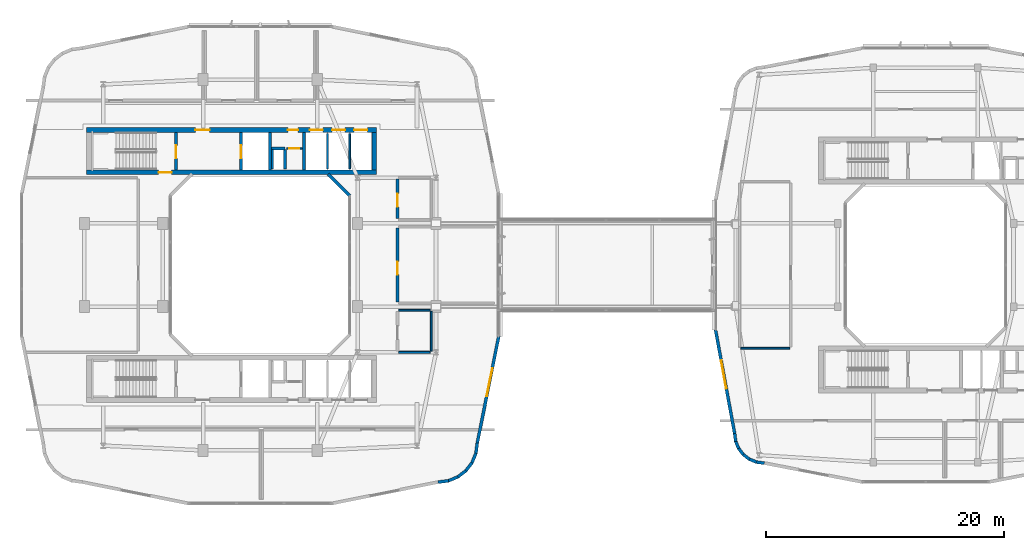
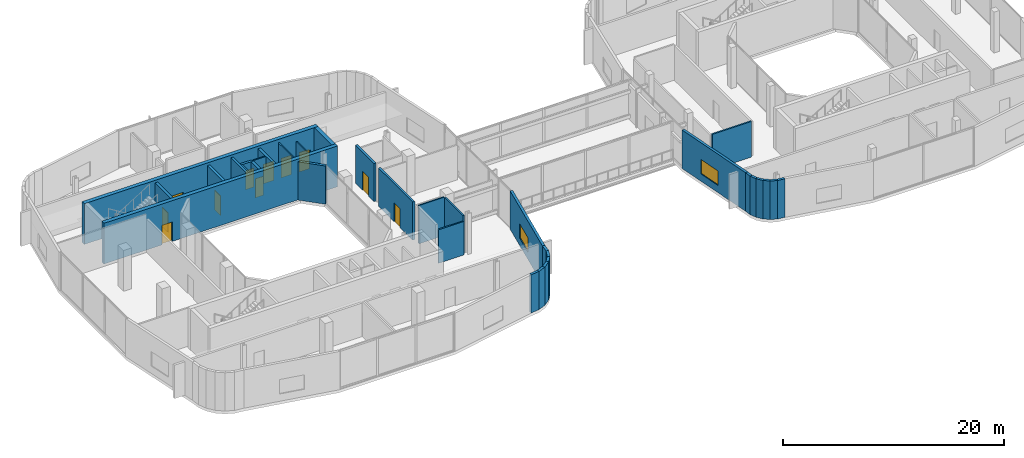
# One storey, part 15 of 24: 34 walls, 11 doors, 2 windows, 13 openings.
"""IFC4 building model written with IfcOpenShell, lengths in metres."""

from ifc_helpers import new_model, si_unit, derived_unit, direction, frame, frame_2d, origin, place, context, subcontext, project, spatial, rectangle, extrude, material, layer, layer_set, type_object, element, fill, save


model = new_model("IFC4")

# Units and contexts
model_context = context("Model", 3, precision=1e-05, world=origin(), true_north=direction((0.0, 1.0)))
body_context = subcontext(model_context, "Body", "Model", "MODEL_VIEW")
ifc_project = project(units=[si_unit("LENGTHUNIT", "METRE"), si_unit("AREAUNIT", "SQUARE_METRE"), si_unit("VOLUMEUNIT", "CUBIC_METRE"), si_unit("PLANEANGLEUNIT", "RADIAN"), si_unit("MASSUNIT", "GRAM", prefix="KILO"), derived_unit("THERMALTRANSMITTANCEUNIT", [(si_unit("POWERUNIT", "WATT"), 1), (si_unit("LENGTHUNIT", "METRE"), -2), (si_unit("THERMODYNAMICTEMPERATUREUNIT", "KELVIN"), -1)])], contexts=[model_context])

# Site, building, storey
site_placement = place(None, origin())
site = spatial("IfcSite", under=ifc_project, at=site_placement, CompositionType="ELEMENT")
building_placement = place(site_placement, origin())
building = spatial("IfcBuilding", under=site, at=building_placement, Name="Kivonza Crest Hotel", CompositionType="ELEMENT")
storey_placement = place(building_placement, frame((0.0, 0.0, 119.5)))
storey = spatial("IfcBuildingStorey", under=building, at=storey_placement, Name="L32", CompositionType="ELEMENT", Elevation=119.5)

# Wall, opening, door
ifc_material_1 = material(Name="Autoclaved aerated concrete blockwork", Category="masonry")
ifc_layer_1 = layer(ifc_material_1, 0.219970703125)
ifc_layer_set_1 = layer_set([ifc_layer_1], Name="Autoclaved aerated concrete blockwork")
wall_type_1 = type_object("IfcWallType", Name="WL-ACOU-220", PredefinedType="SOLIDWALL", material=ifc_layer_set_1)
wall_1_placement = place(storey_placement, frame((32.56005859375, 21.89990234375, 0.0), z_axis=(0.0, 0.0, 1.0), x_axis=(0.0, 1.0, 0.0)))
wall_1 = element("IfcWall", 1, at=wall_1_placement, inside=storey, type_object=wall_type_1, Name="L32 interior partition WA-L32-SKYLOB-W", PredefinedType="SOLIDWALL", context=body_context, shape_type="SweptSolid", body=[
    extrude(rectangle(XDim=6.2001953125, YDim=0.219970703125, at=frame_2d((3.10009765625, 0.0))), origin(), (0.0, 0.0, 1.0), 4.219970703125),
])
opening_1_placement = place(wall_1_placement, frame((2.284912109375, 0.0, 0.0)))
opening_1 = element("IfcOpeningElement", 2, at=opening_1_placement, cuts=wall_1, Name="Opening DF-60M", PredefinedType="OPENING", context=body_context, shape_type="SweptSolid", body=[
    extrude(rectangle(XDim=1.10009765625, YDim=2.10009765625, at=frame_2d((0.550048828125, 1.050048828125))), frame((0.0, 0.1201171875, 0.0), z_axis=(0.0, -1.0, 0.0), x_axis=(1.0, 0.0, 0.0)), (0.0, 0.0, 1.0), 0.239990234375),
])
ifc_material_2 = material(Name="Hardwood timber oak", Category="wood")
door_type_1 = type_object("IfcDoorType", Name="DR-FD60-1100", OperationType="NOTDEFINED", PredefinedType="DOOR", material=ifc_material_2)
door_1_placement = place(opening_1_placement, frame((1.10009765625, 0.0, 0.0), z_axis=(0.0, 0.0, 1.0), x_axis=(-1.0, 0.0, 0.0)))
door_1 = element("IfcDoor", 3, at=door_1_placement, inside=storey, type_object=door_type_1, Name="L32 Sky Lobby Reception Hall door", OperationType="SINGLE_SWING_LEFT", OverallHeight=2.10009765625, OverallWidth=1.10009765625, PredefinedType="DOOR", context=body_context, shape_type="SweptSolid", body=[
    extrude(rectangle(XDim=1.10009765625, YDim=2.10009765625, at=frame_2d((0.550048828125, 1.050048828125))), frame((0.0, 0.02490234375, 0.0), z_axis=(0.0, -1.0, 0.0), x_axis=(1.0, 0.0, 0.0)), (0.0, 0.0, 1.0), 0.050048828125),
])
fill(opening_1, door_1)

wall_2_placement = place(storey_placement, frame((32.56005859375, 28.89990234375, 0.0), z_axis=(0.0, 0.0, 1.0), x_axis=(0.0, 1.0, 0.0)))
wall_2 = element("IfcWall", 4, at=wall_2_placement, inside=storey, type_object=wall_type_1, Name="L32 interior partition WA-L32-SKYLOB-N-W", PredefinedType="SOLIDWALL", context=body_context, shape_type="SweptSolid", body=[
    extrude(rectangle(XDim=3.35009765625, YDim=0.219970703125, at=frame_2d((1.675048828125, 0.0))), origin(), (0.0, 0.0, 1.0), 4.219970703125),
])
opening_2_placement = place(wall_2_placement, frame((1.0029296875, 0.0, 0.0)))
opening_2 = element("IfcOpeningElement", 5, at=opening_2_placement, cuts=wall_2, Name="Opening DF-60M", PredefinedType="OPENING", context=body_context, shape_type="SweptSolid", body=[
    extrude(rectangle(XDim=1.10009765625, YDim=2.10009765625, at=frame_2d((0.550048828125, 1.050048828125))), frame((0.0, 0.1201171875, 0.0), z_axis=(0.0, -1.0, 0.0), x_axis=(1.0, 0.0, 0.0)), (0.0, 0.0, 1.0), 0.239990234375),
])
door_2_placement = place(opening_2_placement, frame((1.10009765625, 0.0, 0.0), z_axis=(0.0, 0.0, 1.0), x_axis=(-1.0, 0.0, 0.0)))
door_2 = element("IfcDoor", 6, at=door_2_placement, inside=storey, type_object=door_type_1, Name="L32 Sky Lobby North Lounge door", OperationType="SINGLE_SWING_LEFT", OverallHeight=2.10009765625, OverallWidth=1.10009765625, PredefinedType="DOOR", context=body_context, shape_type="SweptSolid", body=[
    extrude(rectangle(XDim=1.10009765625, YDim=2.10009765625, at=frame_2d((0.550048828125, 1.050048828125))), frame((0.0, 0.02490234375, 0.0), z_axis=(0.0, -1.0, 0.0), x_axis=(1.0, 0.0, 0.0)), (0.0, 0.0, 1.0), 0.050048828125),
])
fill(opening_2, door_2)

ifc_material_3 = material(Name="Concrete C50/60", Category="concrete")
ifc_layer_2 = layer(ifc_material_3, 0.39990234375)
ifc_layer_set_2 = layer_set([ifc_layer_2], Name="Concrete C50/60")
wall_type_2 = type_object("IfcWallType", Name="WL-CORE-400", PredefinedType="SHEAR", material=ifc_layer_set_2)
wall_3_placement = place(storey_placement, frame((6.39990234375, 32.800048828125, 0.0), z_axis=(0.0, 0.0, 1.0), x_axis=(1.0, 0.0, 0.0)))
wall_3 = element("IfcWall", 7, at=wall_3_placement, inside=storey, type_object=wall_type_2, Name="Core wall T1-N South L32", PredefinedType="SHEAR", context=body_context, shape_type="SweptSolid", body=[
    extrude(rectangle(XDim=24.400146484375, YDim=0.39990234375, at=frame_2d((12.2001953125, 0.0))), origin(), (0.0, 0.0, 1.0), 4.5),
])
opening_3_placement = place(wall_3_placement, frame((6.050048828125, 0.0, 0.0)))
opening_3 = element("IfcOpeningElement", 8, at=opening_3_placement, cuts=wall_3, Name="Opening DF-120", PredefinedType="OPENING", context=body_context, shape_type="SweptSolid", body=[
    extrude(rectangle(XDim=1.10009765625, YDim=2.14990234375, at=frame_2d((0.550048828125, 1.074951171875))), frame((0.0, 0.2099609375, 0.0), z_axis=(0.0, -1.0, 0.0), x_axis=(1.0, 0.0, 0.0)), (0.0, 0.0, 1.0), 0.419921875),
])
ifc_material_4 = material(Name="Galvanised steel", Category="steel")
door_type_2 = type_object("IfcDoorType", Name="DR-FD120-1100", OperationType="NOTDEFINED", PredefinedType="DOOR", material=ifc_material_4)
door_3_placement = place(opening_3_placement, origin())
door_3 = element("IfcDoor", 9, at=door_3_placement, inside=storey, type_object=door_type_2, Name="L32 West sky corridor stair fire door", OperationType="SINGLE_SWING_LEFT", OverallHeight=2.14990234375, OverallWidth=1.10009765625, PredefinedType="DOOR", context=body_context, shape_type="SweptSolid", body=[
    extrude(rectangle(XDim=1.10009765625, YDim=2.14990234375, at=frame_2d((0.550048828125, 1.074951171875))), frame((0.0, 0.02490234375, 0.0), z_axis=(0.0, -1.0, 0.0), x_axis=(1.0, 0.0, 0.0)), (0.0, 0.0, 1.0), 0.050048828125),
])
fill(opening_3, door_3)

# Wall, openings, doors
wall_4_placement = place(storey_placement, frame((6.39990234375, 36.360107421875, 0.0), z_axis=(0.0, 0.0, 1.0), x_axis=(1.0, 0.0, 0.0)))
wall_4 = element("IfcWall", 10, at=wall_4_placement, inside=storey, type_object=wall_type_2, Name="Core wall T1-N North L32", PredefinedType="SHEAR", context=body_context, shape_type="SweptSolid", body=[
    extrude(rectangle(XDim=24.400146484375, YDim=0.39990234375, at=frame_2d((12.2001953125, 0.0))), origin(), (0.0, 0.0, 1.0), 4.5),
])
opening_4_placement = place(wall_4_placement, frame((9.14990234375, 0.0, 0.0)))
opening_4 = element("IfcOpeningElement", 11, at=opening_4_placement, cuts=wall_4, Name="Opening DF-60", PredefinedType="OPENING", context=body_context, shape_type="SweptSolid", body=[
    extrude(rectangle(XDim=1.199951171875, YDim=2.14990234375, at=frame_2d((0.60009765625, 1.074951171875))), frame((0.0, 0.2099609375, 0.0), z_axis=(0.0, -1.0, 0.0), x_axis=(1.0, 0.0, 0.0)), (0.0, 0.0, 1.0), 0.419921875),
])
opening_5_placement = place(wall_4_placement, frame((16.93994140625, 0.0, 0.0)))
opening_5 = element("IfcOpeningElement", 12, at=opening_5_placement, cuts=wall_4, Name="Opening DF-60R", PredefinedType="OPENING", context=body_context, shape_type="SweptSolid", body=[
    extrude(rectangle(XDim=0.85009765625, YDim=2.10009765625, at=frame_2d((0.425048828125, 1.050048828125))), frame((0.0, 0.2099609375, 0.0), z_axis=(0.0, -1.0, 0.0), x_axis=(1.0, 0.0, 0.0)), (0.0, 0.0, 1.0), 0.419921875),
])
opening_6_placement = place(wall_4_placement, frame((18.782958984375, 0.0, 0.0)))
opening_6 = element("IfcOpeningElement", 13, at=opening_6_placement, cuts=wall_4, Name="Opening LD-120", PredefinedType="OPENING", context=body_context, shape_type="SweptSolid", body=[
    extrude(rectangle(XDim=1.10009765625, YDim=2.14990234375, at=frame_2d((0.550048828125, 1.074951171875))), frame((0.0, 0.2099609375, 0.0), z_axis=(0.0, -1.0, 0.0), x_axis=(1.0, 0.0, 0.0)), (0.0, 0.0, 1.0), 0.419921875),
])
opening_7_placement = place(wall_4_placement, frame((20.64990234375, 0.0, 0.0)))
opening_7 = element("IfcOpeningElement", 14, at=opening_7_placement, cuts=wall_4, Name="Opening LD-120", PredefinedType="OPENING", context=body_context, shape_type="SweptSolid", body=[
    extrude(rectangle(XDim=1.10009765625, YDim=2.14990234375, at=frame_2d((0.550048828125, 1.074951171875))), frame((0.0, 0.2099609375, 0.0), z_axis=(0.0, -1.0, 0.0), x_axis=(1.0, 0.0, 0.0)), (0.0, 0.0, 1.0), 0.419921875),
])
opening_8_placement = place(wall_4_placement, frame((22.51708984375, 0.0, 0.0)))
opening_8 = element("IfcOpeningElement", 15, at=opening_8_placement, cuts=wall_4, Name="Opening LD-120", PredefinedType="OPENING", context=body_context, shape_type="SweptSolid", body=[
    extrude(rectangle(XDim=1.10009765625, YDim=2.14990234375, at=frame_2d((0.550048828125, 1.074951171875))), frame((0.0, 0.2099609375, 0.0), z_axis=(0.0, -1.0, 0.0), x_axis=(1.0, 0.0, 0.0)), (0.0, 0.0, 1.0), 0.419921875),
])
door_type_3 = type_object("IfcDoorType", Name="DR-FD60-1200", OperationType="NOTDEFINED", PredefinedType="DOOR", material=ifc_material_2)
door_4_placement = place(opening_4_placement, origin())
door_4 = element("IfcDoor", 16, at=door_4_placement, inside=storey, type_object=door_type_3, Name="L32 T1-N firefighting lobby fire door", OperationType="SINGLE_SWING_RIGHT", OverallHeight=2.14990234375, OverallWidth=1.199951171875, PredefinedType="DOOR", context=body_context, shape_type="SweptSolid", body=[
    extrude(rectangle(XDim=1.199951171875, YDim=2.14990234375, at=frame_2d((0.60009765625, 1.074951171875))), frame((0.0, 0.02490234375, 0.0), z_axis=(0.0, -1.0, 0.0), x_axis=(1.0, 0.0, 0.0)), (0.0, 0.0, 1.0), 0.050048828125),
])
fill(opening_4, door_4)
door_type_4 = type_object("IfcDoorType", Name="DR-FD60-850", OperationType="NOTDEFINED", PredefinedType="DOOR", material=ifc_material_2)
door_5_placement = place(opening_5_placement, origin())
door_5 = element("IfcDoor", 17, at=door_5_placement, inside=storey, type_object=door_type_4, Name="L32 T1-N core room door", OperationType="SINGLE_SWING_RIGHT", OverallHeight=2.10009765625, OverallWidth=0.85009765625, PredefinedType="DOOR", context=body_context, shape_type="SweptSolid", body=[
    extrude(rectangle(XDim=0.85009765625, YDim=2.10009765625, at=frame_2d((0.425048828125, 1.050048828125))), frame((0.0, 0.02490234375, 0.0), z_axis=(0.0, -1.0, 0.0), x_axis=(1.0, 0.0, 0.0)), (0.0, 0.0, 1.0), 0.050048828125),
])
fill(opening_5, door_5)
ifc_material_5 = material(Name="Stainless steel", Category="steel")
door_type_5 = type_object("IfcDoorType", Name="DR-LD120-1100", OperationType="NOTDEFINED", PredefinedType="DOOR", material=ifc_material_5)
door_6_placement = place(opening_6_placement, origin())
door_6 = element("IfcDoor", 18, at=door_6_placement, inside=storey, type_object=door_type_5, Name="L32 PL-T1-L1 passenger lift sliding landing door", OperationType="DOUBLE_DOOR_SLIDING", OverallHeight=2.14990234375, OverallWidth=1.10009765625, PredefinedType="DOOR", context=body_context, shape_type="SweptSolid", body=[
    extrude(rectangle(XDim=1.10009765625, YDim=2.14990234375, at=frame_2d((0.550048828125, 1.074951171875))), frame((0.0, 0.02490234375, 0.0), z_axis=(0.0, -1.0, 0.0), x_axis=(1.0, 0.0, 0.0)), (0.0, 0.0, 1.0), 0.050048828125),
])
fill(opening_6, door_6)
door_7_placement = place(opening_7_placement, origin())
door_7 = element("IfcDoor", 19, at=door_7_placement, inside=storey, type_object=door_type_5, Name="L32 PL-T1-L2 passenger lift sliding landing door", OperationType="DOUBLE_DOOR_SLIDING", OverallHeight=2.14990234375, OverallWidth=1.10009765625, PredefinedType="DOOR", context=body_context, shape_type="SweptSolid", body=[
    extrude(rectangle(XDim=1.10009765625, YDim=2.14990234375, at=frame_2d((0.550048828125, 1.074951171875))), frame((0.0, 0.02490234375, 0.0), z_axis=(0.0, -1.0, 0.0), x_axis=(1.0, 0.0, 0.0)), (0.0, 0.0, 1.0), 0.050048828125),
])
fill(opening_7, door_7)
door_8_placement = place(opening_8_placement, origin())
door_8 = element("IfcDoor", 20, at=door_8_placement, inside=storey, type_object=door_type_5, Name="L32 PL-T1-L3 passenger lift sliding landing door", OperationType="DOUBLE_DOOR_SLIDING", OverallHeight=2.14990234375, OverallWidth=1.10009765625, PredefinedType="DOOR", context=body_context, shape_type="SweptSolid", body=[
    extrude(rectangle(XDim=1.10009765625, YDim=2.14990234375, at=frame_2d((0.550048828125, 1.074951171875))), frame((0.0, 0.02490234375, 0.0), z_axis=(0.0, -1.0, 0.0), x_axis=(1.0, 0.0, 0.0)), (0.0, 0.0, 1.0), 0.050048828125),
])
fill(opening_8, door_8)

# Walls
wall_5_placement = place(storey_placement, frame((30.60009765625, 33.0, 0.0), z_axis=(0.0, 0.0, 1.0), x_axis=(0.0, 1.0, 0.0)))
element("IfcWall", 21, at=wall_5_placement, inside=storey, type_object=wall_type_2, Name="Core wall T1-N East L32", PredefinedType="SHEAR", context=body_context, shape_type="SweptSolid", body=[
    extrude(rectangle(XDim=3.159912109375, YDim=0.39990234375, at=frame_2d((1.580078125, 0.0))), origin(), (0.0, 0.0, 1.0), 4.5),
])
ifc_material_6 = material(Name="Precast concrete C40/50", Category="concrete")
ifc_layer_3 = layer(ifc_material_6, 0.260009765625)
ifc_layer_set_3 = layer_set([ifc_layer_3], Name="Precast concrete C40/50")
wall_type_3 = type_object("IfcWallType", Name="WL-EXT-260", PredefinedType="STANDARD", material=ifc_layer_set_3)
wall_6_placement = place(storey_placement, frame((35.97509765625, 6.72802734375, 0.0), z_axis=(0.0, 0.0, 1.0), x_axis=(0.991388484223, 0.130953706898, 0.0)))
element("IfcWall", 22, at=wall_6_placement, inside=storey, type_object=wall_type_3, Name="L32 T1 exterior insulated wall 10", PredefinedType="STANDARD", context=body_context, shape_type="SweptSolid", body=[
    extrude(rectangle(XDim=0.885498046875, YDim=0.260009765625, at=frame_2d((0.44287109375, 0.0))), origin(), (0.0, 0.0, 1.0), 4.219970703125),
])
wall_7_placement = place(storey_placement, frame((36.806884765625, 6.825927734375, 0.0), z_axis=(0.0, 0.0, 1.0), x_axis=(0.923627776508, 0.383290660547, 0.0)))
element("IfcWall", 23, at=wall_7_placement, inside=storey, type_object=wall_type_3, Name="L32 T1 exterior insulated wall 11", PredefinedType="STANDARD", context=body_context, shape_type="SweptSolid", body=[
    extrude(rectangle(XDim=0.9033203125, YDim=0.260009765625, at=frame_2d((0.45166015625, 0.0))), origin(), (0.0, 0.0, 1.0), 4.219970703125),
])
wall_8_placement = place(storey_placement, frame((37.60107421875, 7.14404296875, 0.0), z_axis=(0.0, 0.0, 1.0), x_axis=(0.793458244748, 0.608624690463, 0.0)))
element("IfcWall", 24, at=wall_8_placement, inside=storey, type_object=wall_type_3, Name="L32 T1 exterior insulated wall 12", PredefinedType="STANDARD", context=body_context, shape_type="SweptSolid", body=[
    extrude(rectangle(XDim=0.902099609375, YDim=0.260009765625, at=frame_2d((0.451171875, 0.0))), origin(), (0.0, 0.0, 1.0), 4.219970703125),
])
wall_9_placement = place(storey_placement, frame((38.285888671875, 7.655029296875, 0.0), z_axis=(0.0, 0.0, 1.0), x_axis=(0.608494022858, 0.793558456666, 0.0)))
element("IfcWall", 25, at=wall_9_placement, inside=storey, type_object=wall_type_3, Name="L32 T1 exterior insulated wall 13", PredefinedType="STANDARD", context=body_context, shape_type="SweptSolid", body=[
    extrude(rectangle(XDim=0.90234375, YDim=0.260009765625, at=frame_2d((0.451171875, 0.0))), origin(), (0.0, 0.0, 1.0), 4.219970703125),
])
wall_10_placement = place(storey_placement, frame((38.81396484375, 8.326904296875, 0.0), z_axis=(0.0, 0.0, 1.0), x_axis=(0.383155708213, 0.923683767999, 0.0)))
element("IfcWall", 26, at=wall_10_placement, inside=storey, type_object=wall_type_3, Name="L32 T1 exterior insulated wall 14", PredefinedType="STANDARD", context=body_context, shape_type="SweptSolid", body=[
    extrude(rectangle(XDim=0.90283203125, YDim=0.260009765625, at=frame_2d((0.451416015625, 0.0))), origin(), (0.0, 0.0, 1.0), 4.219970703125),
])
wall_11_placement = place(storey_placement, frame((39.152099609375, 9.112060546875, 0.0), z_axis=(0.0, 0.0, 1.0), x_axis=(0.130200706103, 0.991487658083, 0.0)))
element("IfcWall", 27, at=wall_11_placement, inside=storey, type_object=wall_type_3, Name="L32 T1 exterior insulated wall 15", PredefinedType="STANDARD", context=body_context, shape_type="SweptSolid", body=[
    extrude(rectangle(XDim=0.920654296875, YDim=0.260009765625, at=frame_2d((0.46044921875, 0.0))), origin(), (0.0, 0.0, 1.0), 4.219970703125),
])

# Wall, opening, window
wall_12_placement = place(storey_placement, frame((39.27099609375, 10.01806640625, 0.0), z_axis=(0.0, 0.0, 1.0), x_axis=(0.197435082048, 0.980315963543, 0.0)))
wall_12 = element("IfcWall", 28, at=wall_12_placement, inside=storey, type_object=wall_type_3, Name="L32 T1 exterior insulated wall 16", PredefinedType="STANDARD", context=body_context, shape_type="SweptSolid", body=[
    extrude(rectangle(XDim=9.1826171875, YDim=0.260009765625, at=frame_2d((4.59130859375, 0.0))), origin(), (0.0, 0.0, 1.0), 4.219970703125),
])
opening_9_placement = place(wall_12_placement, frame((4.031005859375, 0.0, 0.800048828125)))
opening_9 = element("IfcOpeningElement", 29, at=opening_9_placement, cuts=wall_12, Name="Opening WN-05", PredefinedType="OPENING", context=body_context, shape_type="SweptSolid", body=[
    extrude(rectangle(XDim=2.39990234375, YDim=1.60009765625, at=frame_2d((1.199951171875, 0.800048828125))), frame((0.0, 0.14013671875, 0.0), z_axis=(0.0, -1.0, 0.0), x_axis=(1.0, 0.0, 0.0)), (0.0, 0.0, 1.0), 0.280029296875),
])
ifc_material_7 = material(Name="Thermally broken bronze aluminium and low-E double glazing", Category="aluminium")
window_type = type_object("IfcWindowType", Name="WN-240x160", PartitioningType="TRIPLE_PANEL_VERTICAL", PredefinedType="WINDOW", material=ifc_material_7)
window_1_placement = place(opening_9_placement, origin())
window_1 = element("IfcWindow", 30, at=window_1_placement, inside=storey, type_object=window_type, Name="L32 T1 facade window 16", OverallHeight=1.60009765625, OverallWidth=2.39990234375, PartitioningType="SINGLE_PANEL", PredefinedType="WINDOW", context=body_context, shape_type="SweptSolid", body=[
    extrude(rectangle(XDim=2.39990234375, YDim=1.60009765625, at=frame_2d((1.199951171875, 0.800048828125))), frame((0.0, 0.030029296875, 0.0), z_axis=(0.0, -1.0, 0.0), x_axis=(1.0, 0.0, 0.0)), (0.0, 0.0, 1.0), 0.06005859375),
])
fill(opening_9, window_1)

# Walls
wall_13_placement = place(storey_placement, frame((28.555908203125, 30.827880859375, 0.0), z_axis=(0.0, 0.0, 1.0), x_axis=(-0.707059717605, 0.707153841636, 0.0)))
element("IfcWall", 31, at=wall_13_placement, inside=storey, type_object=wall_type_3, Name="L32 T1 light-well exterior wall 4", PredefinedType="STANDARD", context=body_context, shape_type="SweptSolid", body=[
    extrude(rectangle(XDim=2.59375, YDim=0.260009765625, at=frame_2d((1.296875, 0.0))), origin(), (0.0, 0.0, 1.0), 4.219970703125),
])
wall_14_placement = place(storey_placement, frame((60.927978515625, 10.824951171875, 0.0), z_axis=(0.0, 0.0, 1.0), x_axis=(0.131667498923, -0.991293937098, 0.0)))
element("IfcWall", 32, at=wall_14_placement, inside=storey, type_object=wall_type_3, Name="L32 T2 exterior insulated wall 1", PredefinedType="STANDARD", context=body_context, shape_type="SweptSolid", body=[
    extrude(rectangle(XDim=0.6767578125, YDim=0.260009765625, at=frame_2d((0.33837890625, 0.0))), origin(), (0.0, 0.0, 1.0), 4.25),
])
wall_15_placement = place(storey_placement, frame((60.9990234375, 10.199951171875, 0.0), z_axis=(0.0, 0.0, 1.0), x_axis=(0.381988976935, -0.924166879681, 0.0)))
element("IfcWall", 33, at=wall_15_placement, inside=storey, type_object=wall_type_3, Name="L32 T2 exterior insulated wall 2", PredefinedType="STANDARD", context=body_context, shape_type="SweptSolid", body=[
    extrude(rectangle(XDim=0.693359375, YDim=0.260009765625, at=frame_2d((0.3466796875, 0.0))), origin(), (0.0, 0.0, 1.0), 4.25),
])
for number, where, z_axis, x_axis, name in (
    (34, (61.236083984375, 9.59912109375, 0.0), (0.0, 0.0, 1.0), (0.609472651958, -0.792807092876, 0.0), "L32 T2 exterior insulated wall 3"),
    (35, (61.62109375, 9.080078125, 0.0), (0.0, 0.0, 1.0), (0.792506234191, -0.609863811657, 0.0), "L32 T2 exterior insulated wall 4"),
):
    element("IfcWall", number, at=place(storey_placement, frame(where, z_axis=z_axis, x_axis=x_axis)), inside=storey, type_object=wall_type_3, Name=name, PredefinedType="STANDARD", context=body_context, shape_type="SweptSolid", body=[
        extrude(rectangle(XDim=0.69384765625, YDim=0.260009765625, at=frame_2d((0.346923828125, 0.0))), origin(), (0.0, 0.0, 1.0), 4.25),
    ])
wall_16_placement = place(storey_placement, frame((62.126953125, 8.677978515625, 0.0), z_axis=(0.0, 0.0, 1.0), x_axis=(0.92421822618, -0.381864727877, 0.0)))
element("IfcWall", 36, at=wall_16_placement, inside=storey, type_object=wall_type_3, Name="L32 T2 exterior insulated wall 5", PredefinedType="STANDARD", context=body_context, shape_type="SweptSolid", body=[
    extrude(rectangle(XDim=0.693603515625, YDim=0.260009765625, at=frame_2d((0.3466796875, 0.0))), origin(), (0.0, 0.0, 1.0), 4.25),
])
wall_17_placement = place(storey_placement, frame((62.718994140625, 8.4208984375, 0.0), z_axis=(0.0, 0.0, 1.0), x_axis=(0.991433279471, -0.130614135366, 0.0)))
element("IfcWall", 37, at=wall_17_placement, inside=storey, type_object=wall_type_3, Name="L32 T2 exterior insulated wall 6", PredefinedType="STANDARD", context=body_context, shape_type="SweptSolid", body=[
    extrude(rectangle(XDim=0.712158203125, YDim=0.260009765625, at=frame_2d((0.35595703125, 0.0))), origin(), (0.0, 0.0, 1.0), 4.25),
])

# Wall, opening, window
wall_18_placement = place(storey_placement, frame((59.318115234375, 19.55810546875, 0.0), z_axis=(0.0, 0.0, 1.0), x_axis=(0.181209963057, -0.983444431215, 0.0)))
wall_18 = element("IfcWall", 38, at=wall_18_placement, inside=storey, type_object=wall_type_3, Name="L32 T2 exterior insulated wall 36", PredefinedType="STANDARD", context=body_context, shape_type="SweptSolid", body=[
    extrude(rectangle(XDim=8.889404296875, YDim=0.260009765625, at=frame_2d((4.44482421875, 0.0))), origin(), (0.0, 0.0, 1.0), 4.25),
])
opening_10_placement = place(wall_18_placement, frame((2.634033203125, 0.0, 0.800048828125)))
opening_10 = element("IfcOpeningElement", 39, at=opening_10_placement, cuts=wall_18, Name="Opening WN-05", PredefinedType="OPENING", context=body_context, shape_type="SweptSolid", body=[
    extrude(rectangle(XDim=2.39990234375, YDim=1.60009765625, at=frame_2d((1.199951171875, 0.800048828125))), frame((0.0, 0.14013671875, 0.0), z_axis=(0.0, -1.0, 0.0), x_axis=(1.0, 0.0, 0.0)), (0.0, 0.0, 1.0), 0.280029296875),
])
window_2_placement = place(opening_10_placement, origin())
window_2 = element("IfcWindow", 40, at=window_2_placement, inside=storey, type_object=window_type, Name="L32 T2 facade window 36", OverallHeight=1.60009765625, OverallWidth=2.39990234375, PartitioningType="SINGLE_PANEL", PredefinedType="WINDOW", context=body_context, shape_type="SweptSolid", body=[
    extrude(rectangle(XDim=2.39990234375, YDim=1.60009765625, at=frame_2d((1.199951171875, 0.800048828125))), frame((0.0, 0.030029296875, 0.0), z_axis=(0.0, -1.0, 0.0), x_axis=(1.0, 0.0, 0.0)), (0.0, 0.0, 1.0), 0.06005859375),
])
fill(opening_10, window_2)

# Walls
ifc_material_8 = material(Name="Concrete blockwork fire-compartment wall", Category="masonry")
ifc_layer_4 = layer(ifc_material_8, 0.25)
ifc_layer_set_4 = layer_set([ifc_layer_4], Name="Concrete blockwork fire-compartment wall")
wall_type_4 = type_object("IfcWallType", Name="WL-FIRE-250", PredefinedType="SOLIDWALL", material=ifc_layer_set_4)
wall_19_placement = place(storey_placement, frame((23.10009765625, 33.10009765625, 0.0), z_axis=(0.0, 0.0, 1.0), x_axis=(0.0, 1.0, 0.0)))
element("IfcWall", 41, at=wall_19_placement, inside=storey, type_object=wall_type_4, Name="L32 interior partition WA-L32-T1-N-MEPR-E", PredefinedType="SOLIDWALL", context=body_context, shape_type="SweptSolid", body=[
    extrude(rectangle(XDim=1.619873046875, YDim=0.25, at=frame_2d((0.81005859375, 0.0))), origin(), (0.0, 0.0, 1.0), 4.219970703125),
])
wall_20_placement = place(storey_placement, frame((21.949951171875, 34.820068359375, 0.0), z_axis=(0.0, 0.0, 1.0), x_axis=(1.0, 0.0, 0.0)))
element("IfcWall", 42, at=wall_20_placement, inside=storey, type_object=wall_type_4, Name="L32 interior partition WA-L32-T1-N-MEPR-H", PredefinedType="SOLIDWALL", context=body_context, shape_type="SweptSolid", body=[
    extrude(rectangle(XDim=1.150146484375, YDim=0.25, at=frame_2d((0.5751953125, 0.0))), origin(), (0.0, 0.0, 1.0), 4.219970703125),
])

# Wall, opening, door
ifc_material_9 = material(Name="Metal-stud gypsum board partition", Category="gypsum")
ifc_layer_5 = layer(ifc_material_9, 0.125)
ifc_layer_set_5 = layer_set([ifc_layer_5], Name="Metal-stud gypsum board partition")
wall_type_5 = type_object("IfcWallType", Name="WL-PART-125", PredefinedType="PARTITIONING", material=ifc_layer_set_5)
wall_21_placement = place(storey_placement, frame((23.219970703125, 34.820068359375, 0.0), z_axis=(0.0, 0.0, 1.0), x_axis=(1.0, 0.0, 0.0)))
wall_21 = element("IfcWall", 43, at=wall_21_placement, inside=storey, type_object=wall_type_5, Name="L32 interior partition WP-L32-T1-N-SV3H", PredefinedType="PARTITIONING", context=body_context, shape_type="SweptSolid", body=[
    extrude(rectangle(XDim=1.330078125, YDim=0.125, at=frame_2d((0.6650390625, 0.0))), origin(), (0.0, 0.0, 1.0), 4.219970703125),
])
opening_11_placement = place(wall_21_placement, frame((0.239990234375, 0.0, 0.0)))
opening_11 = element("IfcOpeningElement", 44, at=opening_11_placement, cuts=wall_21, Name="Opening DI-85", PredefinedType="OPENING", context=body_context, shape_type="SweptSolid", body=[
    extrude(rectangle(XDim=0.85009765625, YDim=2.10009765625, at=frame_2d((0.425048828125, 1.050048828125))), frame((0.0, 0.072509765625, 0.0), z_axis=(0.0, -1.0, 0.0), x_axis=(1.0, 0.0, 0.0)), (0.0, 0.0, 1.0), 0.14501953125),
])
door_type_6 = type_object("IfcDoorType", Name="DR-INT-850", OperationType="NOTDEFINED", PredefinedType="DOOR", material=ifc_material_2)
door_9_placement = place(opening_11_placement, origin())
door_9 = element("IfcDoor", 45, at=door_9_placement, inside=storey, type_object=door_type_6, Name="L32 T1-N inner manifold door", OperationType="SINGLE_SWING_LEFT", OverallHeight=2.10009765625, OverallWidth=0.85009765625, PredefinedType="DOOR", context=body_context, shape_type="SweptSolid", body=[
    extrude(rectangle(XDim=0.85009765625, YDim=2.10009765625, at=frame_2d((0.425048828125, 1.050048828125))), frame((0.0, 0.02490234375, 0.0), z_axis=(0.0, -1.0, 0.0), x_axis=(1.0, 0.0, 0.0)), (0.0, 0.0, 1.0), 0.050048828125),
])
fill(opening_11, door_9)

# Walls
ifc_material_10 = material(Name="Twin-stud acoustic gypsum board partition", Category="gypsum")
ifc_layer_6 = layer(ifc_material_10, 0.14990234375)
ifc_layer_set_6 = layer_set([ifc_layer_6], Name="Twin-stud acoustic gypsum board partition")
wall_type_6 = type_object("IfcWallType", Name="WL-PART-150", PredefinedType="PARTITIONING", material=ifc_layer_set_6)
wall_22_placement = place(storey_placement, frame((22.030029296875, 33.10009765625, 0.0), z_axis=(0.0, 0.0, 1.0), x_axis=(0.0, 1.0, 0.0)))
element("IfcWall", 46, at=wall_22_placement, inside=storey, type_object=wall_type_6, Name="L32 interior partition WA-L32-T1-N-MEPR-W", PredefinedType="PARTITIONING", context=body_context, shape_type="SweptSolid", body=[
    extrude(rectangle(XDim=1.619873046875, YDim=0.14990234375, at=frame_2d((0.81005859375, 0.0))), origin(), (0.0, 0.0, 1.0), 4.219970703125),
])
wall_23_placement = place(storey_placement, frame((26.6669921875, 33.10009765625, 0.0), z_axis=(0.0, 0.0, 1.0), x_axis=(0.0, 1.0, 0.0)))
element("IfcWall", 47, at=wall_23_placement, inside=storey, type_object=wall_type_6, Name="L32 interior partition WP-L32-T1-N-BSH-1", PredefinedType="PARTITIONING", context=body_context, shape_type="SweptSolid", body=[
    extrude(rectangle(XDim=2.9599609375, YDim=0.14990234375, at=frame_2d((1.47998046875, 0.0))), origin(), (0.0, 0.0, 1.0), 4.219970703125),
])
wall_24_placement = place(storey_placement, frame((28.532958984375, 33.10009765625, 0.0), z_axis=(0.0, 0.0, 1.0), x_axis=(0.0, 1.0, 0.0)))
element("IfcWall", 48, at=wall_24_placement, inside=storey, type_object=wall_type_6, Name="L32 interior partition WP-L32-T1-N-BSH-2", PredefinedType="PARTITIONING", context=body_context, shape_type="SweptSolid", body=[
    extrude(rectangle(XDim=2.9599609375, YDim=0.14990234375, at=frame_2d((1.47998046875, 0.0))), origin(), (0.0, 0.0, 1.0), 3.695068359375),
])
wall_25_placement = place(storey_placement, frame((35.39990234375, 17.75, 0.0), z_axis=(0.0, 0.0, 1.0), x_axis=(0.0, 1.0, 0.0)))
element("IfcWall", 49, at=wall_25_placement, inside=storey, type_object=wall_type_6, Name="L32 interior partition WP-L32-SKYLOB-S-BE", PredefinedType="PARTITIONING", context=body_context, shape_type="SweptSolid", body=[
    extrude(rectangle(XDim=3.35009765625, YDim=0.14990234375, at=frame_2d((1.675048828125, 0.0))), origin(), (0.0, 0.0, 1.0), 4.219970703125),
])
wall_26_placement = place(storey_placement, frame((32.659912109375, 17.64990234375, 0.0), z_axis=(0.0, 0.0, 1.0), x_axis=(1.0, 0.0, 0.0)))
element("IfcWall", 50, at=wall_26_placement, inside=storey, type_object=wall_type_6, Name="L32 interior partition WP-L32-SKYLOB-S-BS", PredefinedType="PARTITIONING", context=body_context, shape_type="SweptSolid", body=[
    extrude(rectangle(XDim=2.64013671875, YDim=0.14990234375, at=frame_2d((1.320068359375, 0.0))), origin(), (0.0, 0.0, 1.0), 3.695068359375),
])
wall_27_placement = place(storey_placement, frame((32.659912109375, 21.199951171875, 0.0), z_axis=(0.0, 0.0, 1.0), x_axis=(1.0, 0.0, 0.0)))
element("IfcWall", 51, at=wall_27_placement, inside=storey, type_object=wall_type_6, Name="L32 interior partition WP-L32-SKYLOB-S-BN", PredefinedType="PARTITIONING", context=body_context, shape_type="SweptSolid", body=[
    extrude(rectangle(XDim=2.64013671875, YDim=0.14990234375, at=frame_2d((1.320068359375, 0.0))), origin(), (0.0, 0.0, 1.0), 4.219970703125),
])
wall_28_placement = place(storey_placement, frame((61.449951171875, 18.0, 0.0), z_axis=(0.0, 0.0, 1.0), x_axis=(1.0, 0.0, 0.0)))
element("IfcWall", 52, at=wall_28_placement, inside=storey, type_object=wall_type_6, Name="L32 interior partition WP-L32-T2-SKYLNG-BS", PredefinedType="PARTITIONING", context=body_context, shape_type="SweptSolid", body=[
    extrude(rectangle(XDim=4.10009765625, YDim=0.14990234375, at=frame_2d((2.050048828125, 0.0))), origin(), (0.0, 0.0, 1.0), 3.945068359375),
])

# Wall, opening, door
ifc_layer_7 = layer(ifc_material_3, 0.25)
ifc_layer_set_7 = layer_set([ifc_layer_7], Name="Concrete C50/60")
wall_type_7 = type_object("IfcWallType", Name="WL-SHAFT-250", PredefinedType="STANDARD", material=ifc_layer_set_7)
wall_29_placement = place(storey_placement, frame((13.925048828125, 33.0, 0.0), z_axis=(0.0, 0.0, 1.0), x_axis=(0.0, 1.0, 0.0)))
wall_29 = element("IfcWall", 53, at=wall_29_placement, inside=storey, type_object=wall_type_7, Name="Core shaft wall T1-N STAIR L32", PredefinedType="STANDARD", context=body_context, shape_type="SweptSolid", body=[
    extrude(rectangle(XDim=3.159912109375, YDim=0.25, at=frame_2d((1.580078125, 0.0))), origin(), (0.0, 0.0, 1.0), 4.219970703125),
])
opening_12_placement = place(wall_29_placement, frame((0.97998046875, 0.0, 0.0)))
opening_12 = element("IfcOpeningElement", 54, at=opening_12_placement, cuts=wall_29, Name="Opening DF-120", PredefinedType="OPENING", context=body_context, shape_type="SweptSolid", body=[
    extrude(rectangle(XDim=1.10009765625, YDim=2.14990234375, at=frame_2d((0.550048828125, 1.074951171875))), frame((0.0, 0.135009765625, 0.0), z_axis=(0.0, -1.0, 0.0), x_axis=(1.0, 0.0, 0.0)), (0.0, 0.0, 1.0), 0.27001953125),
])
door_10_placement = place(opening_12_placement, frame((1.10009765625, 0.0, 0.0), z_axis=(0.0, 0.0, 1.0), x_axis=(-1.0, 0.0, 0.0)))
door_10 = element("IfcDoor", 55, at=door_10_placement, inside=storey, type_object=door_type_2, Name="L32 T1-N stair fire door", OperationType="SINGLE_SWING_LEFT", OverallHeight=2.14990234375, OverallWidth=1.10009765625, PredefinedType="DOOR", context=body_context, shape_type="SweptSolid", body=[
    extrude(rectangle(XDim=1.10009765625, YDim=2.14990234375, at=frame_2d((0.550048828125, 1.074951171875))), frame((0.0, 0.02490234375, 0.0), z_axis=(0.0, -1.0, 0.0), x_axis=(1.0, 0.0, 0.0)), (0.0, 0.0, 1.0), 0.050048828125),
])
fill(opening_12, door_10)

wall_30_placement = place(storey_placement, frame((19.375, 33.0, 0.0), z_axis=(0.0, 0.0, 1.0), x_axis=(0.0, 1.0, 0.0)))
wall_30 = element("IfcWall", 56, at=wall_30_placement, inside=storey, type_object=wall_type_7, Name="Core shaft wall T1-N FFL-W L32", PredefinedType="STANDARD", context=body_context, shape_type="SweptSolid", body=[
    extrude(rectangle(XDim=3.159912109375, YDim=0.25, at=frame_2d((1.580078125, 0.0))), origin(), (0.0, 0.0, 1.0), 4.219970703125),
])
opening_13_placement = place(wall_30_placement, frame((0.97998046875, 0.0, 0.0)))
opening_13 = element("IfcOpeningElement", 57, at=opening_13_placement, cuts=wall_30, Name="Opening LD-120", PredefinedType="OPENING", context=body_context, shape_type="SweptSolid", body=[
    extrude(rectangle(XDim=1.10009765625, YDim=2.14990234375, at=frame_2d((0.550048828125, 1.074951171875))), frame((0.0, 0.135009765625, 0.0), z_axis=(0.0, -1.0, 0.0), x_axis=(1.0, 0.0, 0.0)), (0.0, 0.0, 1.0), 0.27001953125),
])
door_11_placement = place(opening_13_placement, origin())
door_11 = element("IfcDoor", 58, at=door_11_placement, inside=storey, type_object=door_type_5, Name="L32 FFL-T1-N firefighting lift sliding landing door", OperationType="DOUBLE_DOOR_SLIDING", OverallHeight=2.14990234375, OverallWidth=1.10009765625, PredefinedType="DOOR", context=body_context, shape_type="SweptSolid", body=[
    extrude(rectangle(XDim=1.10009765625, YDim=2.14990234375, at=frame_2d((0.550048828125, 1.074951171875))), frame((0.0, 0.02490234375, 0.0), z_axis=(0.0, -1.0, 0.0), x_axis=(1.0, 0.0, 0.0)), (0.0, 0.0, 1.0), 0.050048828125),
])
fill(opening_13, door_11)

# Walls
for number, where, z_axis, x_axis, name in (
    (59, (21.824951171875, 33.0, 0.0), (0.0, 0.0, 1.0), (0.0, 1.0, 0.0), "Core shaft wall T1-N FFL-E L32"),
    (60, (24.675048828125, 33.0, 0.0), (0.0, 0.0, 1.0), (0.0, 1.0, 0.0), "Core shaft wall T1-N BANK-W L32"),
):
    element("IfcWall", number, at=place(storey_placement, frame(where, z_axis=z_axis, x_axis=x_axis)), inside=storey, type_object=wall_type_7, Name=name, PredefinedType="STANDARD", context=body_context, shape_type="SweptSolid", body=[
        extrude(rectangle(XDim=3.159912109375, YDim=0.25, at=frame_2d((1.580078125, 0.0))), origin(), (0.0, 0.0, 1.0), 4.219970703125),
    ])

save(model, "model.ifc")
